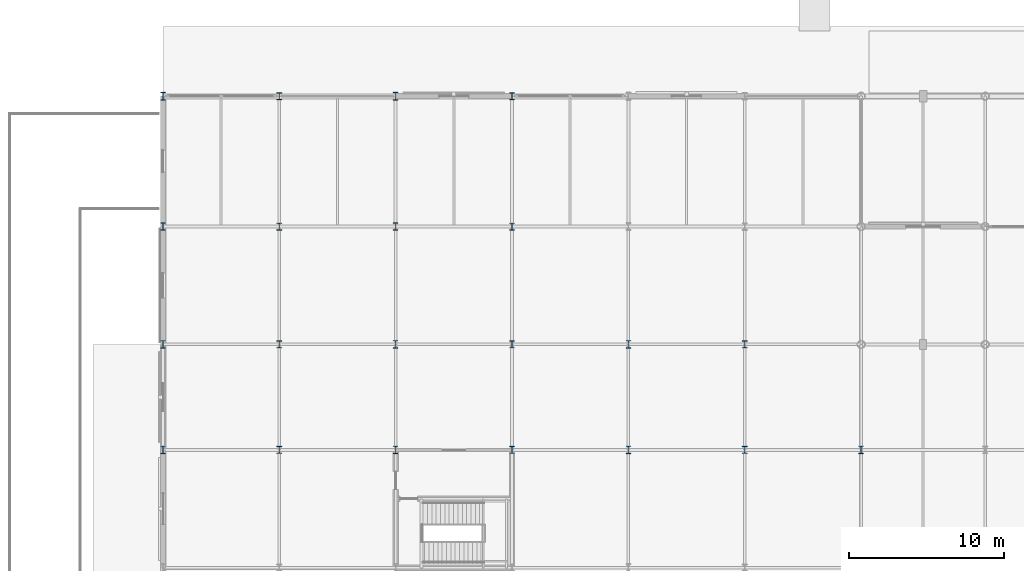
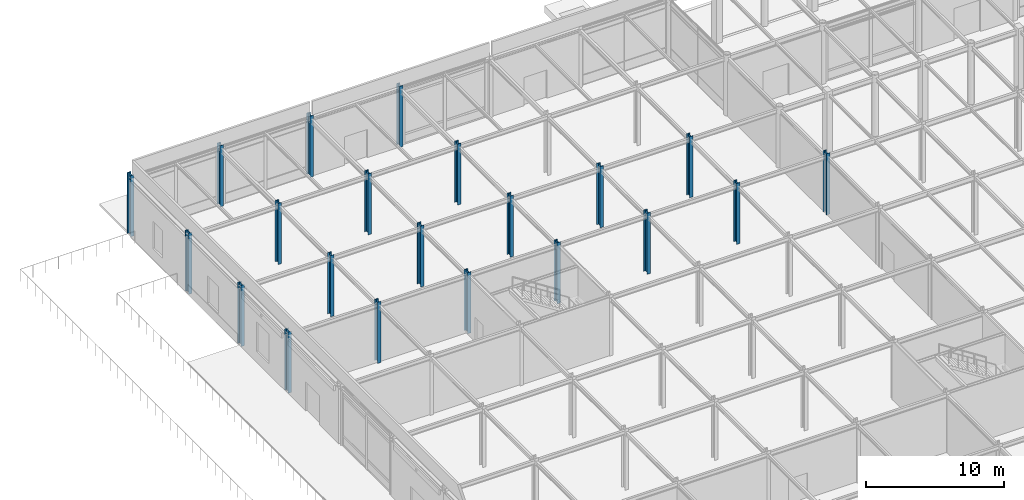
# One storey, part 11 of 89: 21 columns.
"""IFC4 building model written with IfcOpenShell, lengths in metres."""

from ifc_helpers import new_model, si_unit, direction, frame, origin, origin_2d, place, context, subcontext, project, spatial, i_section, extrude, material, material_profile, profile_set, type_object, element, save


model = new_model("IFC4")

# Units and contexts
model_context = context("Model", 3, precision=1e-05, world=origin(), true_north=direction((0.0, 1.0)))
body_context = subcontext(model_context, "Body", "Model", "MODEL_VIEW")
ifc_project = project(units=[si_unit("LENGTHUNIT", "METRE"), si_unit("AREAUNIT", "SQUARE_METRE"), si_unit("VOLUMEUNIT", "CUBIC_METRE"), si_unit("PLANEANGLEUNIT", "RADIAN"), si_unit("MASSUNIT", "GRAM", prefix="KILO")], contexts=[model_context])

# Site, building, storey
site_placement = place(None, origin())
site = spatial("IfcSite", under=ifc_project, at=site_placement, CompositionType="ELEMENT")
building_placement = place(site_placement, origin())
building = spatial("IfcBuilding", under=site, at=building_placement, Name="Shalkamar Park Central Library", CompositionType="ELEMENT")
storey_placement = place(building_placement, origin())
storey = spatial("IfcBuildingStorey", under=building, at=storey_placement, Name="L01", CompositionType="ELEMENT", Elevation=0.0)

# Columns
ifc_material = material(Name="Steel S355", Category="steel")
ifc_material_profile_1 = material_profile(ifc_material, i_section(OverallWidth=0.300048828125, OverallDepth=0.449951171875, WebThickness=0.013916015625, FlangeThickness=0.02587890625, FilletRadius=0.027099609375, at=origin_2d()), Name="HEB 450")
ifc_profile_set_1 = profile_set([ifc_material_profile_1], Name="Steel S355")
column_type_1 = type_object("IfcColumnType", Name="Column Steel HEB450", PredefinedType="COLUMN", material=ifc_profile_set_1)
for number, where, z_axis, x_axis, name in (
    (1, (127.5, 331.199951171875, 0.0), (0.0, 0.0, 1.0), (1.0, 0.0, 0.0), "Column 02/N (L01)"),
    (2, (127.5, 338.0, 0.0), (0.0, 0.0, 1.0), (1.0, 0.0, 0.0), "Column 02/P (L01)"),
    (3, (127.5, 345.60009765625, 0.0), (0.0, 0.0, 1.0), (1.0, 0.0, 0.0), "Column 02/Q (L01)"),
    (4, (127.5, 354.0, 0.0), (0.0, 0.0, 1.0), (1.0, 0.0, 0.0), "Column 02/R (L01)"),
    (5, (142.5, 331.199951171875, 0.0), (0.0, 0.0, 1.0), (1.0, 0.0, 0.0), "Column 04/N (L01)"),
    (6, (142.5, 338.0, 0.0), (0.0, 0.0, 1.0), (1.0, 0.0, 0.0), "Column 04/P (L01)"),
    (7, (142.5, 345.60009765625, 0.0), (0.0, 0.0, 1.0), (1.0, 0.0, 0.0), "Column 04/Q (L01)"),
    (8, (142.5, 354.0, 0.0), (0.0, 0.0, 1.0), (1.0, 0.0, 0.0), "Column 04/R (L01)"),
    (9, (157.5, 331.199951171875, 0.0), (0.0, 0.0, 1.0), (1.0, 0.0, 0.0), "Column 06/N (L01)"),
    (10, (157.5, 338.0, 0.0), (0.0, 0.0, 1.0), (1.0, 0.0, 0.0), "Column 06/P (L01)"),
):
    element("IfcColumn", number, at=place(storey_placement, frame(where, z_axis=z_axis, x_axis=x_axis)), inside=storey, type_object=column_type_1, Name=name, PredefinedType="COLUMN", context=body_context, shape_type="SweptSolid", body=[
        extrude(i_section(OverallWidth=0.300048828125, OverallDepth=0.449951171875, WebThickness=0.013916015625, FlangeThickness=0.02587890625, FilletRadius=0.027099609375, at=origin_2d()), origin(), (0.0, 0.0, 1.0), 5.39990234375),
    ])
ifc_material_profile_2 = material_profile(ifc_material, i_section(OverallWidth=0.300048828125, OverallDepth=0.5, WebThickness=0.014404296875, FlangeThickness=0.028076171875, FilletRadius=0.027099609375, at=origin_2d()), Name="HEB 500")
ifc_profile_set_2 = profile_set([ifc_material_profile_2], Name="Steel S355")
column_type_2 = type_object("IfcColumnType", Name="Column Steel HEB500", PredefinedType="COLUMN", material=ifc_profile_set_2)
for number, where, z_axis, x_axis, name in (
    (11, (120.0, 331.199951171875, 0.0), (0.0, 0.0, 1.0), (1.0, 0.0, 0.0), "Column 01/N (L01)"),
    (12, (120.0, 338.0, 0.0), (0.0, 0.0, 1.0), (1.0, 0.0, 0.0), "Column 01/P (L01)"),
    (13, (120.0, 345.60009765625, 0.0), (0.0, 0.0, 1.0), (1.0, 0.0, 0.0), "Column 01/Q (L01)"),
    (14, (120.0, 354.0, 0.0), (0.0, 0.0, 1.0), (1.0, 0.0, 0.0), "Column 01/R (L01)"),
    (15, (135.0, 331.199951171875, 0.0), (0.0, 0.0, 1.0), (1.0, 0.0, 0.0), "Column 03/N (L01)"),
    (16, (135.0, 338.0, 0.0), (0.0, 0.0, 1.0), (1.0, 0.0, 0.0), "Column 03/P (L01)"),
    (17, (135.0, 345.60009765625, 0.0), (0.0, 0.0, 1.0), (1.0, 0.0, 0.0), "Column 03/Q (L01)"),
    (18, (135.0, 354.0, 0.0), (0.0, 0.0, 1.0), (1.0, 0.0, 0.0), "Column 03/R (L01)"),
    (19, (150.0, 331.199951171875, 0.0), (0.0, 0.0, 1.0), (1.0, 0.0, 0.0), "Column 05/N (L01)"),
    (20, (150.0, 338.0, 0.0), (0.0, 0.0, 1.0), (1.0, 0.0, 0.0), "Column 05/P (L01)"),
    (21, (165.0, 331.199951171875, 0.0), (0.0, 0.0, 1.0), (1.0, 0.0, 0.0), "Column 07/N (L01)"),
):
    element("IfcColumn", number, at=place(storey_placement, frame(where, z_axis=z_axis, x_axis=x_axis)), inside=storey, type_object=column_type_2, Name=name, PredefinedType="COLUMN", context=body_context, shape_type="SweptSolid", body=[
        extrude(i_section(OverallWidth=0.300048828125, OverallDepth=0.5, WebThickness=0.014404296875, FlangeThickness=0.028076171875, FilletRadius=0.027099609375, at=origin_2d()), origin(), (0.0, 0.0, 1.0), 5.39990234375),
    ])

save(model, "model.ifc")
